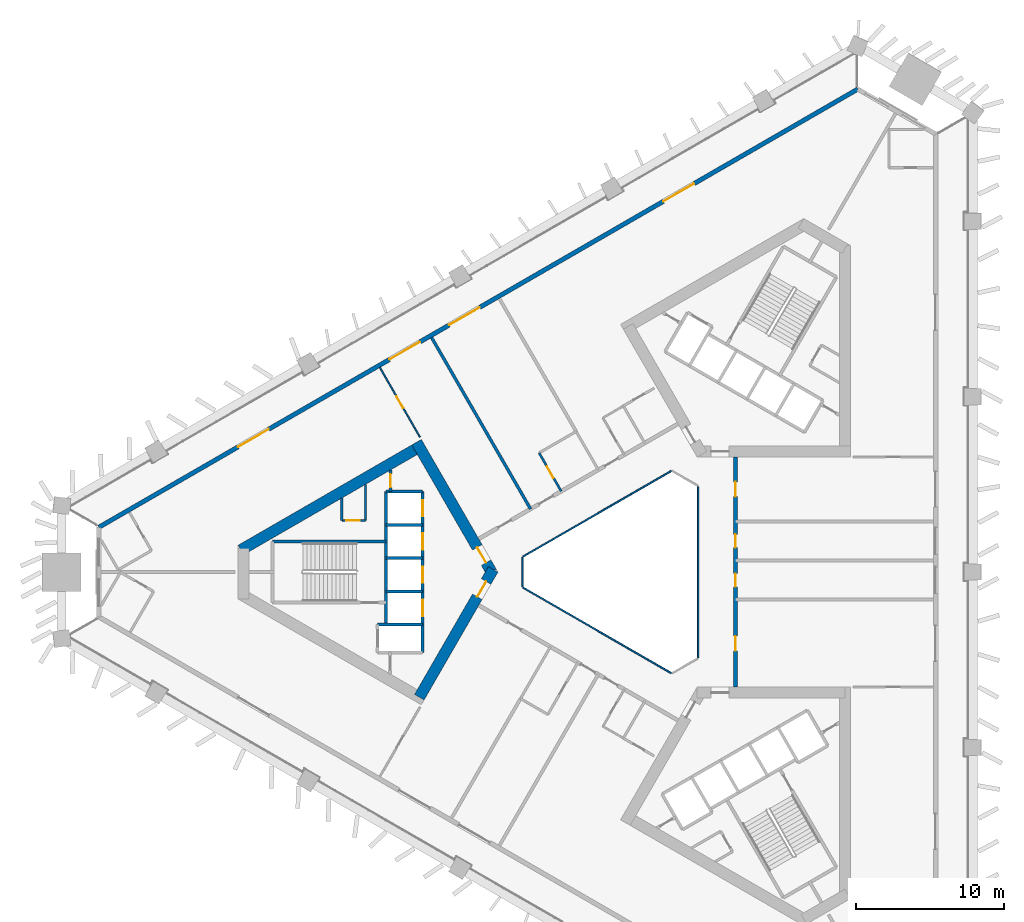
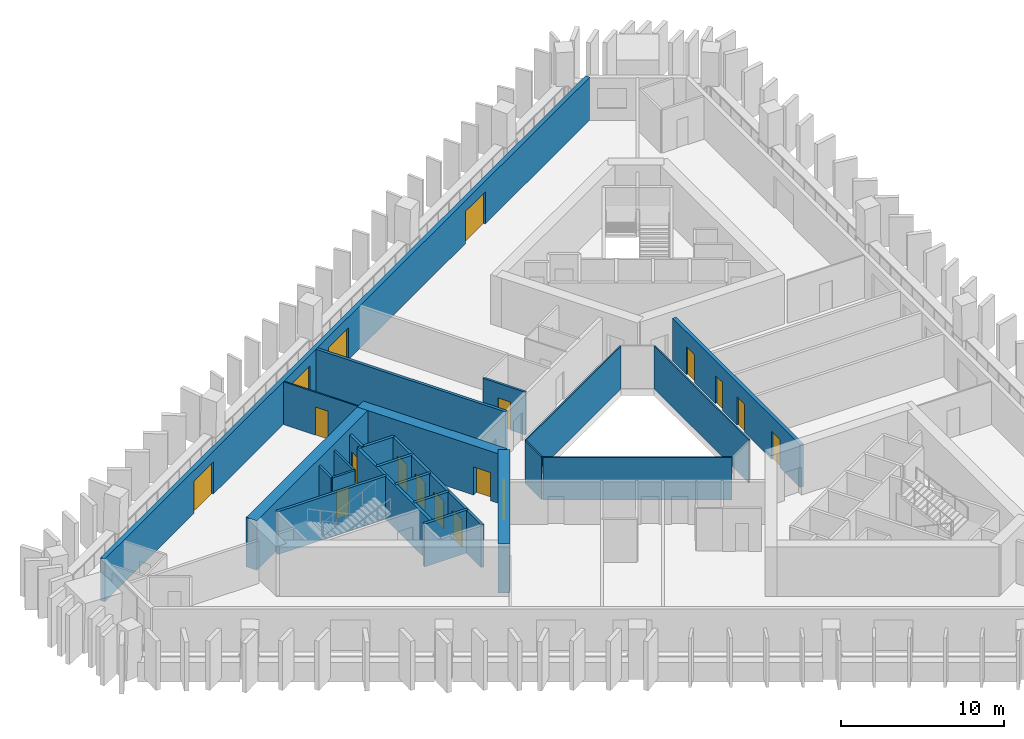
# One storey, part 4 of 10: 24 walls, 18 doors, 18 openings.
"""IFC4 building model written with IfcOpenShell, lengths in metres."""

from ifc_helpers import new_model, si_unit, direction, frame, frame_2d, origin, place, context, subcontext, project, spatial, rectangle, extrude, material, layer, layer_set, type_object, element, fill, save


model = new_model("IFC4")

# Units and contexts
model_context = context("Model", 3, precision=1e-05, world=origin(), true_north=direction((0.0, 1.0)))
body_context = subcontext(model_context, "Body", "Model", "MODEL_VIEW")
ifc_project = project(units=[si_unit("LENGTHUNIT", "METRE"), si_unit("AREAUNIT", "SQUARE_METRE"), si_unit("VOLUMEUNIT", "CUBIC_METRE"), si_unit("PLANEANGLEUNIT", "RADIAN"), si_unit("MASSUNIT", "GRAM", prefix="KILO")], contexts=[model_context])

# Site, building, storey
site_placement = place(None, origin())
site = spatial("IfcSite", under=ifc_project, at=site_placement, CompositionType="ELEMENT")
building_placement = place(site_placement, origin())
building = spatial("IfcBuilding", under=site, at=building_placement, Name="Jabali Bay Hotel Tower and Convention Centre", CompositionType="ELEMENT")
storey_placement = place(building_placement, frame((0.0, 0.0, 72.10009765625)))
storey = spatial("IfcBuildingStorey", under=building, at=storey_placement, Name="L16", CompositionType="ELEMENT", Elevation=72.10009765625)

# Walls
ifc_material_1 = material(Name="Fire-resistant glazing", Category="glass")
ifc_layer_1 = layer(ifc_material_1, 0.10009765625)
ifc_layer_set_1 = layer_set([ifc_layer_1], Name="Fire-resistant glazing")
wall_type_1 = type_object("IfcWallType", Name="Atrium glazed screen 100", PredefinedType="PARTITIONING", material=ifc_layer_set_1)
for number, where, z_axis, x_axis, name in (
    (1, (79.56005859375, 74.205810546875, 0.0), (0.0, 0.0, 1.0), (0.0, 1.0, 0.0), "Atrium screen 1 L16"),
    (2, (77.738037109375, 86.84619140625, 0.0), (0.0, 0.0, 1.0), (-0.866026658274, -0.499997827154, 0.0), "Atrium screen 3 L16"),
):
    element("IfcWall", number, at=place(storey_placement, frame(where, z_axis=z_axis, x_axis=x_axis)), inside=storey, type_object=wall_type_1, Name=name, PredefinedType="PARTITIONING", context=body_context, shape_type="SweptSolid", body=[
        extrude(rectangle(XDim=11.58837890625, YDim=0.10009765625, at=frame_2d((5.794189453125, 0.0))), origin(), (0.0, 0.0, 1.0), 3.199951171875),
    ])
wall_1_placement = place(storey_placement, frame((67.672119140625, 81.0, 0.0), z_axis=(0.0, 0.0, 1.0), x_axis=(0.0, -1.0, 0.0)))
element("IfcWall", 3, at=wall_1_placement, inside=storey, type_object=wall_type_1, Name="Atrium screen 4 L16", PredefinedType="PARTITIONING", context=body_context, shape_type="SweptSolid", body=[
    extrude(rectangle(XDim=2.0, YDim=0.10009765625, at=frame_2d((1.0, 0.0))), origin(), (0.0, 0.0, 1.0), 3.199951171875),
])
wall_2_placement = place(storey_placement, frame((67.7021484375, 78.947998046875, 0.0), z_axis=(0.0, 0.0, 1.0), x_axis=(0.866026658274, -0.499997827154, 0.0)))
element("IfcWall", 4, at=wall_2_placement, inside=storey, type_object=wall_type_1, Name="Atrium screen 5 L16", PredefinedType="PARTITIONING", context=body_context, shape_type="SweptSolid", body=[
    extrude(rectangle(XDim=11.58837890625, YDim=0.10009765625, at=frame_2d((5.794189453125, 0.0))), origin(), (0.0, 0.0, 1.0), 3.199951171875),
])

# Wall, opening, door
ifc_material_2 = material(Name="Concrete C40", Category="concrete")
ifc_layer_2 = layer(ifc_material_2, 0.199951171875)
ifc_layer_set_2 = layer_set([ifc_layer_2], Name="Concrete C40")
wall_type_2 = type_object("IfcWallType", Name="Core partition wall 200", PredefinedType="PARTITIONING", material=ifc_layer_set_2)
wall_3_placement = place(storey_placement, frame((58.719970703125, 86.916748046875, 0.0), z_axis=(0.0, 0.0, 1.0), x_axis=(0.0, -1.0, 0.0)))
wall_3 = element("IfcWall", 5, at=wall_3_placement, inside=storey, type_object=wall_type_2, Name="Core wall 0.11 L16", PredefinedType="PARTITIONING", context=body_context, shape_type="SweptSolid", body=[
    extrude(rectangle(XDim=1.466796875, YDim=0.199951171875, at=frame_2d((0.7333984375, 0.0))), origin(), (0.0, 0.0, 1.0), 3.199951171875),
])
opening_1_placement = place(wall_3_placement, frame((0.283447265625, 0.0, 0.0)))
opening_1 = element("IfcOpeningElement", 6, at=opening_1_placement, cuts=wall_3, Name="Opening D405", PredefinedType="OPENING", context=body_context, shape_type="SweptSolid", body=[
    extrude(rectangle(XDim=0.89990234375, YDim=2.10009765625, at=frame_2d((0.449951171875, 1.050048828125))), frame((0.0, 0.1103515625, 0.0), z_axis=(0.0, -1.0, 0.0), x_axis=(1.0, 0.0, 0.0)), (0.0, 0.0, 1.0), 0.220947265625),
])
ifc_material_3 = material(Name="Fire-rated steel door", Category="steel")
door_type_1 = type_object("IfcDoorType", Name="Vestibule fire door 900 x 2100", OperationType="NOTDEFINED", PredefinedType="NOTDEFINED", material=ifc_material_3)
door_1_placement = place(opening_1_placement, origin())
door_1 = element("IfcDoor", 7, at=door_1_placement, inside=storey, type_object=door_type_1, Name="Vestibule fire door D405", OperationType="SINGLE_SWING_LEFT", OverallHeight=2.10009765625, OverallWidth=0.89990234375, PredefinedType="NOTDEFINED", context=body_context, shape_type="SweptSolid", body=[
    extrude(rectangle(XDim=0.89990234375, YDim=2.10009765625, at=frame_2d((0.449951171875, 1.050048828125))), frame((0.0, 0.02490234375, 0.0), z_axis=(0.0, -1.0, 0.0), x_axis=(1.0, 0.0, 0.0)), (0.0, 0.0, 1.0), 0.050048828125),
])
fill(opening_1, door_1)

ifc_material_4 = material(Name="Fire-rated board partition")
ifc_layer_3 = layer(ifc_material_4, 0.14990234375)
ifc_layer_set_3 = layer_set([ifc_layer_3], Name="Fire-rated board partition")
wall_type_3 = type_object("IfcWallType", Name="Core room partition 150", PredefinedType="PARTITIONING", material=ifc_layer_set_3)
wall_4_placement = place(storey_placement, frame((57.02001953125, 83.5, 0.0), z_axis=(0.0, 0.0, 1.0), x_axis=(-1.0, 0.0, 0.0)))
wall_4 = element("IfcWall", 8, at=wall_4_placement, inside=storey, type_object=wall_type_3, Name="Core wall 0.1 L16", PredefinedType="PARTITIONING", context=body_context, shape_type="SweptSolid", body=[
    extrude(rectangle(XDim=1.60009765625, YDim=0.14990234375, at=frame_2d((0.800048828125, 0.0))), origin(), (0.0, 0.0, 1.0), 3.199951171875),
])
opening_2_placement = place(wall_4_placement, frame((0.387451171875, 0.0, 0.0)))
opening_2 = element("IfcOpeningElement", 9, at=opening_2_placement, cuts=wall_4, Name="Opening D407", PredefinedType="OPENING", context=body_context, shape_type="SweptSolid", body=[
    extrude(rectangle(XDim=0.89990234375, YDim=2.10009765625, at=frame_2d((0.449951171875, 1.050048828125))), frame((0.0, 0.08544921875, 0.0), z_axis=(0.0, -1.0, 0.0), x_axis=(1.0, 0.0, 0.0)), (0.0, 0.0, 1.0), 0.1708984375),
])
door_type_2 = type_object("IfcDoorType", Name="Core room door 900 x 2100", OperationType="NOTDEFINED", PredefinedType="NOTDEFINED", material=ifc_material_3)
door_2_placement = place(opening_2_placement, origin())
door_2 = element("IfcDoor", 10, at=door_2_placement, inside=storey, type_object=door_type_2, Name="Core room door D407", OperationType="SINGLE_SWING_LEFT", OverallHeight=2.10009765625, OverallWidth=0.89990234375, PredefinedType="NOTDEFINED", context=body_context, shape_type="SweptSolid", body=[
    extrude(rectangle(XDim=0.89990234375, YDim=2.10009765625, at=frame_2d((0.449951171875, 1.050048828125))), frame((0.0, 0.02490234375, 0.0), z_axis=(0.0, -1.0, 0.0), x_axis=(1.0, 0.0, 0.0)), (0.0, 0.0, 1.0), 0.050048828125),
])
fill(opening_2, door_2)

# Walls
wall_5_placement = place(storey_placement, frame((57.02001953125, 85.935302734375, 0.0), z_axis=(0.0, 0.0, 1.0), x_axis=(0.0, -1.0, 0.0)))
element("IfcWall", 11, at=wall_5_placement, inside=storey, type_object=wall_type_3, Name="Core wall 0.15 L16", PredefinedType="PARTITIONING", context=body_context, shape_type="SweptSolid", body=[
    extrude(rectangle(XDim=2.435302734375, YDim=0.14990234375, at=frame_2d((1.2177734375, 0.0))), origin(), (0.0, 0.0, 1.0), 3.199951171875),
])
wall_6_placement = place(storey_placement, frame((55.419921875, 85.011474609375, 0.0), z_axis=(0.0, 0.0, 1.0), x_axis=(0.0, -1.0, 0.0)))
element("IfcWall", 12, at=wall_6_placement, inside=storey, type_object=wall_type_3, Name="Core wall 0.16 L16", PredefinedType="PARTITIONING", context=body_context, shape_type="SweptSolid", body=[
    extrude(rectangle(XDim=1.511474609375, YDim=0.14990234375, at=frame_2d((0.755859375, 0.0))), origin(), (0.0, 0.0, 1.0), 3.199951171875),
])
ifc_layer_4 = layer(ifc_material_2, 0.199951171875)
ifc_layer_set_4 = layer_set([ifc_layer_4], Name="Concrete C40")
wall_type_4 = type_object("IfcWallType", Name="Core stair wall 200", PredefinedType="SOLIDWALL", material=ifc_layer_set_4)
for number, where, z_axis, x_axis, name in (
    (13, (60.89990234375, 85.449951171875, 0.0), (0.0, 0.0, 1.0), (-1.0, 0.0, 0.0), "Core wall 0.0 L16"),
    (14, (60.89990234375, 83.199951171875, 0.0), (0.0, 0.0, 1.0), (-1.0, 0.0, 0.0), "Core wall 0.2 L16"),
):
    element("IfcWall", number, at=place(storey_placement, frame(where, z_axis=z_axis, x_axis=x_axis)), inside=storey, type_object=wall_type_4, Name=name, PredefinedType="SOLIDWALL", context=body_context, shape_type="SweptSolid", body=[
        extrude(rectangle(XDim=2.47998046875, YDim=0.199951171875, at=frame_2d((1.239990234375, 0.0))), origin(), (0.0, 0.0, 1.0), 3.199951171875),
    ])
wall_7_placement = place(storey_placement, frame((58.419921875, 82.074951171875, 0.0), z_axis=(0.0, 0.0, 1.0), x_axis=(-1.0, 0.0, 0.0)))
element("IfcWall", 15, at=wall_7_placement, inside=storey, type_object=wall_type_4, Name="Core wall 0.3 L16", PredefinedType="SOLIDWALL", context=body_context, shape_type="SweptSolid", body=[
    extrude(rectangle(XDim=7.699951171875, YDim=0.199951171875, at=frame_2d((3.85009765625, 0.0))), origin(), (0.0, 0.0, 1.0), 3.199951171875),
])
for number, where, z_axis, x_axis, name in (
    (16, (60.89990234375, 80.949951171875, 0.0), (0.0, 0.0, 1.0), (-1.0, 0.0, 0.0), "Core wall 0.4 L16"),
    (17, (60.89990234375, 78.699951171875, 0.0), (0.0, 0.0, 1.0), (-1.0, 0.0, 0.0), "Core wall 0.6 L16"),
):
    element("IfcWall", number, at=place(storey_placement, frame(where, z_axis=z_axis, x_axis=x_axis)), inside=storey, type_object=wall_type_4, Name=name, PredefinedType="SOLIDWALL", context=body_context, shape_type="SweptSolid", body=[
        extrude(rectangle(XDim=2.47998046875, YDim=0.199951171875, at=frame_2d((1.239990234375, 0.0))), origin(), (0.0, 0.0, 1.0), 3.199951171875),
    ])
wall_8_placement = place(storey_placement, frame((60.89990234375, 76.449951171875, 0.0), z_axis=(0.0, 0.0, 1.0), x_axis=(-1.0, 0.0, 0.0)))
element("IfcWall", 18, at=wall_8_placement, inside=storey, type_object=wall_type_4, Name="Core wall 0.8 L16", PredefinedType="SOLIDWALL", context=body_context, shape_type="SweptSolid", body=[
    extrude(rectangle(XDim=3.0498046875, YDim=0.199951171875, at=frame_2d((1.52490234375, 0.0))), origin(), (0.0, 0.0, 1.0), 3.199951171875),
])

# Wall, openings, doors
wall_9_placement = place(storey_placement, frame((60.89990234375, 85.449951171875, 0.0), z_axis=(0.0, 0.0, 1.0), x_axis=(0.0, -1.0, 0.0)))
wall_9 = element("IfcWall", 19, at=wall_9_placement, inside=storey, type_object=wall_type_4, Name="Core wall 0.10 L16", PredefinedType="SOLIDWALL", context=body_context, shape_type="SweptSolid", body=[
    extrude(rectangle(XDim=10.89990234375, YDim=0.199951171875, at=frame_2d((5.449951171875, 0.0))), origin(), (0.0, 0.0, 1.0), 3.199951171875),
])
opening_3_placement = place(wall_9_placement, frame((0.574951171875, 0.0, 0.0)))
opening_3 = element("IfcOpeningElement", 20, at=opening_3_placement, cuts=wall_9, Name="Opening LD1-L16", PredefinedType="OPENING", context=body_context, shape_type="SweptSolid", body=[
    extrude(rectangle(XDim=1.10009765625, YDim=2.10009765625, at=frame_2d((0.550048828125, 1.050048828125))), frame((0.0, 0.1103515625, 0.0), z_axis=(0.0, -1.0, 0.0), x_axis=(1.0, 0.0, 0.0)), (0.0, 0.0, 1.0), 0.220947265625),
])
opening_4_placement = place(wall_9_placement, frame((2.824951171875, 0.0, 0.0)))
opening_4 = element("IfcOpeningElement", 21, at=opening_4_placement, cuts=wall_9, Name="Opening LD2-L16", PredefinedType="OPENING", context=body_context, shape_type="SweptSolid", body=[
    extrude(rectangle(XDim=1.10009765625, YDim=2.10009765625, at=frame_2d((0.550048828125, 1.050048828125))), frame((0.0, 0.1103515625, 0.0), z_axis=(0.0, -1.0, 0.0), x_axis=(1.0, 0.0, 0.0)), (0.0, 0.0, 1.0), 0.220947265625),
])
opening_5_placement = place(wall_9_placement, frame((5.074951171875, 0.0, 0.0)))
opening_5 = element("IfcOpeningElement", 22, at=opening_5_placement, cuts=wall_9, Name="Opening LD3-L16", PredefinedType="OPENING", context=body_context, shape_type="SweptSolid", body=[
    extrude(rectangle(XDim=1.10009765625, YDim=2.10009765625, at=frame_2d((0.550048828125, 1.050048828125))), frame((0.0, 0.1103515625, 0.0), z_axis=(0.0, -1.0, 0.0), x_axis=(1.0, 0.0, 0.0)), (0.0, 0.0, 1.0), 0.220947265625),
])
opening_6_placement = place(wall_9_placement, frame((7.324951171875, 0.0, 0.0)))
opening_6 = element("IfcOpeningElement", 23, at=opening_6_placement, cuts=wall_9, Name="Opening LD4-L16", PredefinedType="OPENING", context=body_context, shape_type="SweptSolid", body=[
    extrude(rectangle(XDim=1.10009765625, YDim=2.10009765625, at=frame_2d((0.550048828125, 1.050048828125))), frame((0.0, 0.1103515625, 0.0), z_axis=(0.0, -1.0, 0.0), x_axis=(1.0, 0.0, 0.0)), (0.0, 0.0, 1.0), 0.220947265625),
])
ifc_material_5 = material(Name="Stainless steel landing door", Category="steel")
door_type_3 = type_object("IfcDoorType", Name="Landing door 1100 x 2100", OperationType="NOTDEFINED", PredefinedType="NOTDEFINED", material=ifc_material_5)
door_3_placement = place(opening_3_placement, origin())
door_3 = element("IfcDoor", 24, at=door_3_placement, inside=storey, type_object=door_type_3, Name="Landing doors LD1-L16", OperationType="SLIDING_TO_RIGHT", OverallHeight=2.10009765625, OverallWidth=1.10009765625, PredefinedType="NOTDEFINED", context=body_context, shape_type="SweptSolid", body=[
    extrude(rectangle(XDim=1.10009765625, YDim=2.10009765625, at=frame_2d((0.550048828125, 1.050048828125))), frame((0.0, 0.02490234375, 0.0), z_axis=(0.0, -1.0, 0.0), x_axis=(1.0, 0.0, 0.0)), (0.0, 0.0, 1.0), 0.050048828125),
])
fill(opening_3, door_3)
door_4_placement = place(opening_4_placement, origin())
door_4 = element("IfcDoor", 25, at=door_4_placement, inside=storey, type_object=door_type_3, Name="Landing doors LD2-L16", OperationType="SLIDING_TO_LEFT", OverallHeight=2.10009765625, OverallWidth=1.10009765625, PredefinedType="NOTDEFINED", context=body_context, shape_type="SweptSolid", body=[
    extrude(rectangle(XDim=1.10009765625, YDim=2.10009765625, at=frame_2d((0.550048828125, 1.050048828125))), frame((0.0, 0.02490234375, 0.0), z_axis=(0.0, -1.0, 0.0), x_axis=(1.0, 0.0, 0.0)), (0.0, 0.0, 1.0), 0.050048828125),
])
fill(opening_4, door_4)
door_5_placement = place(opening_5_placement, origin())
door_5 = element("IfcDoor", 26, at=door_5_placement, inside=storey, type_object=door_type_3, Name="Landing doors LD3-L16", OperationType="SLIDING_TO_RIGHT", OverallHeight=2.10009765625, OverallWidth=1.10009765625, PredefinedType="NOTDEFINED", context=body_context, shape_type="SweptSolid", body=[
    extrude(rectangle(XDim=1.10009765625, YDim=2.10009765625, at=frame_2d((0.550048828125, 1.050048828125))), frame((0.0, 0.02490234375, 0.0), z_axis=(0.0, -1.0, 0.0), x_axis=(1.0, 0.0, 0.0)), (0.0, 0.0, 1.0), 0.050048828125),
])
fill(opening_5, door_5)
door_6_placement = place(opening_6_placement, origin())
door_6 = element("IfcDoor", 27, at=door_6_placement, inside=storey, type_object=door_type_3, Name="Landing doors LD4-L16", OperationType="SLIDING_TO_LEFT", OverallHeight=2.10009765625, OverallWidth=1.10009765625, PredefinedType="NOTDEFINED", context=body_context, shape_type="SweptSolid", body=[
    extrude(rectangle(XDim=1.10009765625, YDim=2.10009765625, at=frame_2d((0.550048828125, 1.050048828125))), frame((0.0, 0.02490234375, 0.0), z_axis=(0.0, -1.0, 0.0), x_axis=(1.0, 0.0, 0.0)), (0.0, 0.0, 1.0), 0.050048828125),
])
fill(opening_6, door_6)

# Wall
wall_10_placement = place(storey_placement, frame((58.419921875, 85.449951171875, 0.0), z_axis=(0.0, 0.0, 1.0), x_axis=(0.0, -1.0, 0.0)))
element("IfcWall", 28, at=wall_10_placement, inside=storey, type_object=wall_type_4, Name="Core wall 0.13 L16", PredefinedType="SOLIDWALL", context=body_context, shape_type="SweptSolid", body=[
    extrude(rectangle(XDim=9.0, YDim=0.199951171875, at=frame_2d((4.5, 0.0))), origin(), (0.0, 0.0, 1.0), 3.199951171875),
])

# Wall, opening, door
ifc_material_6 = material(Name="Concrete C60", Category="concrete")
ifc_layer_5 = layer(ifc_material_6, 0.75)
ifc_layer_set_5 = layer_set([ifc_layer_5], Name="Concrete C60")
wall_type_5 = type_object("IfcWallType", Name="Core wall 750", PredefinedType="SHEAR", material=ifc_layer_set_5)
wall_11_placement = place(storey_placement, frame((65.56689453125, 80.0, 0.0), z_axis=(0.0, 0.0, 1.0), x_axis=(-0.499988615364, 0.866031976607, 0.0)))
wall_11 = element("IfcWall", 29, at=wall_11_placement, inside=storey, type_object=wall_type_5, Name="Core wall 1.1 L16", PredefinedType="SHEAR", context=body_context, shape_type="SweptSolid", body=[
    extrude(rectangle(XDim=10.163330078125, YDim=0.75, at=frame_2d((5.08154296875, 0.0))), origin(), (0.0, 0.0, 1.0), 3.699951171875),
])
opening_7_placement = place(wall_11_placement, frame((0.7333984375, 0.0, 0.0)))
opening_7 = element("IfcOpeningElement", 30, at=opening_7_placement, cuts=wall_11, Name="Opening D402", PredefinedType="OPENING", context=body_context, shape_type="SweptSolid", body=[
    extrude(rectangle(XDim=1.199951171875, YDim=2.10009765625, at=frame_2d((0.60009765625, 1.050048828125))), frame((0.0, 0.385498046875, 0.0), z_axis=(0.0, -1.0, 0.0), x_axis=(1.0, 0.0, 0.0)), (0.0, 0.0, 1.0), 0.77099609375),
])
door_type_4 = type_object("IfcDoorType", Name="Corridor end fire door 1200 x 2100", OperationType="NOTDEFINED", PredefinedType="NOTDEFINED", material=ifc_material_3)
door_7_placement = place(opening_7_placement, origin())
door_7 = element("IfcDoor", 31, at=door_7_placement, inside=storey, type_object=door_type_4, Name="Corridor end fire door D402", OperationType="SINGLE_SWING_RIGHT", OverallHeight=2.10009765625, OverallWidth=1.199951171875, PredefinedType="NOTDEFINED", context=body_context, shape_type="SweptSolid", body=[
    extrude(rectangle(XDim=1.199951171875, YDim=2.10009765625, at=frame_2d((0.60009765625, 1.050048828125))), frame((0.0, 0.02490234375, 0.0), z_axis=(0.0, -1.0, 0.0), x_axis=(1.0, 0.0, 0.0)), (0.0, 0.0, 1.0), 0.050048828125),
])
fill(opening_7, door_7)

# Wall
wall_12_placement = place(storey_placement, frame((60.6728515625, 88.47705078125, 0.0), z_axis=(0.0, 0.0, 1.0), x_axis=(-0.8660248072, -0.500001033313, 0.0)))
element("IfcWall", 32, at=wall_12_placement, inside=storey, type_object=wall_type_5, Name="Core wall 1.2 L16", PredefinedType="SHEAR", context=body_context, shape_type="SweptSolid", body=[
    extrude(rectangle(XDim=13.95849609375, YDim=0.75, at=frame_2d((6.979248046875, 0.0))), origin(), (0.0, 0.0, 1.0), 3.699951171875),
])

# Wall, opening, door
wall_13_placement = place(storey_placement, frame((60.6728515625, 71.52294921875, 0.0), z_axis=(0.0, 0.0, 1.0), x_axis=(0.499997052475, 0.866027105532, 0.0)))
wall_13 = element("IfcWall", 33, at=wall_13_placement, inside=storey, type_object=wall_type_5, Name="Core wall 1.5 L16", PredefinedType="SHEAR", context=body_context, shape_type="SweptSolid", body=[
    extrude(rectangle(XDim=10.0048828125, YDim=0.75, at=frame_2d((5.00244140625, 0.0))), origin(), (0.0, 0.0, 1.0), 3.699951171875),
])
opening_8_placement = place(wall_13_placement, frame((7.85498046875, 0.0, 0.0)))
opening_8 = element("IfcOpeningElement", 34, at=opening_8_placement, cuts=wall_13, Name="Opening D403", PredefinedType="OPENING", context=body_context, shape_type="SweptSolid", body=[
    extrude(rectangle(XDim=1.199951171875, YDim=2.10009765625, at=frame_2d((0.60009765625, 1.050048828125))), frame((0.0, 0.385498046875, 0.0), z_axis=(0.0, -1.0, 0.0), x_axis=(1.0, 0.0, 0.0)), (0.0, 0.0, 1.0), 0.77099609375),
])
door_8_placement = place(opening_8_placement, origin())
door_8 = element("IfcDoor", 35, at=door_8_placement, inside=storey, type_object=door_type_4, Name="Corridor end fire door D403", OperationType="SINGLE_SWING_LEFT", OverallHeight=2.10009765625, OverallWidth=1.199951171875, PredefinedType="NOTDEFINED", context=body_context, shape_type="SweptSolid", body=[
    extrude(rectangle(XDim=1.199951171875, YDim=2.10009765625, at=frame_2d((0.60009765625, 1.050048828125))), frame((0.0, 0.02490234375, 0.0), z_axis=(0.0, -1.0, 0.0), x_axis=(1.0, 0.0, 0.0)), (0.0, 0.0, 1.0), 0.050048828125),
])
fill(opening_8, door_8)

# Wall, openings, doors
ifc_layer_6 = layer(ifc_material_6, 0.25)
ifc_layer_set_6 = layer_set([ifc_layer_6], Name="Concrete C60")
wall_type_6 = type_object("IfcWallType", Name="Corridor wall 250", PredefinedType="SHEAR", material=ifc_layer_set_6)
wall_14_placement = place(storey_placement, frame((82.10009765625, 72.205810546875, 0.0), z_axis=(0.0, 0.0, 1.0), x_axis=(0.0, 1.0, 0.0)))
wall_14 = element("IfcWall", 36, at=wall_14_placement, inside=storey, type_object=wall_type_6, Name="Corridor wall 1 L16", PredefinedType="SHEAR", context=body_context, shape_type="SweptSolid", body=[
    extrude(rectangle(XDim=15.58837890625, YDim=0.25, at=frame_2d((7.794189453125, 0.0))), origin(), (0.0, 0.0, 1.0), 3.199951171875),
])
opening_9_placement = place(wall_14_placement, frame((2.4619140625, 0.0, 0.0)))
opening_9 = element("IfcOpeningElement", 37, at=opening_9_placement, cuts=wall_14, Name="Opening 1601", PredefinedType="OPENING", context=body_context, shape_type="SweptSolid", body=[
    extrude(rectangle(XDim=1.0, YDim=2.10009765625, at=frame_2d((0.5, 1.050048828125))), frame((0.0, 0.135498046875, 0.0), z_axis=(0.0, -1.0, 0.0), x_axis=(1.0, 0.0, 0.0)), (0.0, 0.0, 1.0), 0.27099609375),
])
opening_10_placement = place(wall_14_placement, frame((6.798583984375, 0.0, 0.0)))
opening_10 = element("IfcOpeningElement", 38, at=opening_10_placement, cuts=wall_14, Name="Opening 1604", PredefinedType="OPENING", context=body_context, shape_type="SweptSolid", body=[
    extrude(rectangle(XDim=0.89990234375, YDim=2.10009765625, at=frame_2d((0.449951171875, 1.050048828125))), frame((0.0, 0.135498046875, 0.0), z_axis=(0.0, -1.0, 0.0), x_axis=(1.0, 0.0, 0.0)), (0.0, 0.0, 1.0), 0.27099609375),
])
opening_11_placement = place(wall_14_placement, frame((9.44873046875, 0.0, 0.0)))
opening_11 = element("IfcOpeningElement", 39, at=opening_11_placement, cuts=wall_14, Name="Opening 1605", PredefinedType="OPENING", context=body_context, shape_type="SweptSolid", body=[
    extrude(rectangle(XDim=0.89990234375, YDim=2.10009765625, at=frame_2d((0.449951171875, 1.050048828125))), frame((0.0, 0.135498046875, 0.0), z_axis=(0.0, -1.0, 0.0), x_axis=(1.0, 0.0, 0.0)), (0.0, 0.0, 1.0), 0.27099609375),
])
opening_12_placement = place(wall_14_placement, frame((12.906005859375, 0.0, 0.0)))
opening_12 = element("IfcOpeningElement", 40, at=opening_12_placement, cuts=wall_14, Name="Opening 1606", PredefinedType="OPENING", context=body_context, shape_type="SweptSolid", body=[
    extrude(rectangle(XDim=1.0, YDim=2.10009765625, at=frame_2d((0.5, 1.050048828125))), frame((0.0, 0.135498046875, 0.0), z_axis=(0.0, -1.0, 0.0), x_axis=(1.0, 0.0, 0.0)), (0.0, 0.0, 1.0), 0.27099609375),
])
ifc_material_7 = material(Name="Timber", Category="wood")
door_type_5 = type_object("IfcDoorType", Name="Guest room door 1000 x 2100", OperationType="NOTDEFINED", PredefinedType="NOTDEFINED", material=ifc_material_7)
door_9_placement = place(opening_9_placement, origin())
door_9 = element("IfcDoor", 41, at=door_9_placement, inside=storey, type_object=door_type_5, Name="Door 1601", OperationType="SINGLE_SWING_LEFT", OverallHeight=2.10009765625, OverallWidth=1.0, PredefinedType="NOTDEFINED", context=body_context, shape_type="SweptSolid", body=[
    extrude(rectangle(XDim=1.0, YDim=2.10009765625, at=frame_2d((0.5, 1.050048828125))), frame((0.0, 0.02490234375, 0.0), z_axis=(0.0, -1.0, 0.0), x_axis=(1.0, 0.0, 0.0)), (0.0, 0.0, 1.0), 0.050048828125),
])
fill(opening_9, door_9)
door_10_placement = place(opening_12_placement, origin())
door_10 = element("IfcDoor", 42, at=door_10_placement, inside=storey, type_object=door_type_5, Name="Door 1606", OperationType="SINGLE_SWING_RIGHT", OverallHeight=2.10009765625, OverallWidth=1.0, PredefinedType="NOTDEFINED", context=body_context, shape_type="SweptSolid", body=[
    extrude(rectangle(XDim=1.0, YDim=2.10009765625, at=frame_2d((0.5, 1.050048828125))), frame((0.0, 0.02490234375, 0.0), z_axis=(0.0, -1.0, 0.0), x_axis=(1.0, 0.0, 0.0)), (0.0, 0.0, 1.0), 0.050048828125),
])
fill(opening_12, door_10)
door_type_6 = type_object("IfcDoorType", Name="Internal door 900 x 2100", OperationType="NOTDEFINED", PredefinedType="NOTDEFINED", material=ifc_material_7)
door_11_placement = place(opening_10_placement, origin())
door_11 = element("IfcDoor", 43, at=door_11_placement, inside=storey, type_object=door_type_6, Name="Door 1604", OperationType="SINGLE_SWING_LEFT", OverallHeight=2.10009765625, OverallWidth=0.89990234375, PredefinedType="NOTDEFINED", context=body_context, shape_type="SweptSolid", body=[
    extrude(rectangle(XDim=0.89990234375, YDim=2.10009765625, at=frame_2d((0.449951171875, 1.050048828125))), frame((0.0, 0.02490234375, 0.0), z_axis=(0.0, -1.0, 0.0), x_axis=(1.0, 0.0, 0.0)), (0.0, 0.0, 1.0), 0.050048828125),
])
fill(opening_10, door_11)
door_12_placement = place(opening_11_placement, origin())
door_12 = element("IfcDoor", 44, at=door_12_placement, inside=storey, type_object=door_type_6, Name="Door 1605", OperationType="SINGLE_SWING_RIGHT", OverallHeight=2.10009765625, OverallWidth=0.89990234375, PredefinedType="NOTDEFINED", context=body_context, shape_type="SweptSolid", body=[
    extrude(rectangle(XDim=0.89990234375, YDim=2.10009765625, at=frame_2d((0.449951171875, 1.050048828125))), frame((0.0, 0.02490234375, 0.0), z_axis=(0.0, -1.0, 0.0), x_axis=(1.0, 0.0, 0.0)), (0.0, 0.0, 1.0), 0.050048828125),
])
fill(opening_11, door_12)

ifc_layer_7 = layer(ifc_material_2, 0.300048828125)
ifc_layer_set_7 = layer_set([ifc_layer_7], Name="Concrete C40")
wall_type_7 = type_object("IfcWallType", Name="External wall 300", PredefinedType="SOLIDWALL", material=ifc_layer_set_7)
wall_15_placement = place(storey_placement, frame((38.962158203125, 83.0380859375, 0.0), z_axis=(0.0, 0.0, 1.0), x_axis=(0.866024483997, 0.500001593116, 0.0)))
wall_15 = element("IfcWall", 45, at=wall_15_placement, inside=storey, type_object=wall_type_7, Name="External wall north-west face L16", PredefinedType="SOLIDWALL", context=body_context, shape_type="SweptSolid", body=[
    extrude(rectangle(XDim=59.381103515625, YDim=0.300048828125, at=frame_2d((29.6904296875, 0.0))), origin(), (0.0, 0.0, 1.0), 3.199951171875),
])
opening_13_placement = place(wall_15_placement, frame((27.3994140625, 0.0, 0.0)))
opening_13 = element("IfcOpeningElement", 46, at=opening_13_placement, cuts=wall_15, Name="Opening SD1", PredefinedType="OPENING", context=body_context, shape_type="SweptSolid", body=[
    extrude(rectangle(XDim=2.39990234375, YDim=2.39990234375, at=frame_2d((1.199951171875, 1.199951171875))), frame((0.0, 0.16064453125, 0.0), z_axis=(0.0, -1.0, 0.0), x_axis=(1.0, 0.0, 0.0)), (0.0, 0.0, 1.0), 0.321044921875),
])
opening_14_placement = place(wall_15_placement, frame((22.722900390625, 0.0, 0.0)))
opening_14 = element("IfcOpeningElement", 47, at=opening_14_placement, cuts=wall_15, Name="Opening SD1", PredefinedType="OPENING", context=body_context, shape_type="SweptSolid", body=[
    extrude(rectangle(XDim=2.39990234375, YDim=2.39990234375, at=frame_2d((1.199951171875, 1.199951171875))), frame((0.0, 0.16064453125, 0.0), z_axis=(0.0, -1.0, 0.0), x_axis=(1.0, 0.0, 0.0)), (0.0, 0.0, 1.0), 0.321044921875),
])
opening_15_placement = place(wall_15_placement, frame((10.88720703125, 0.0, 0.0)))
opening_15 = element("IfcOpeningElement", 48, at=opening_15_placement, cuts=wall_15, Name="Opening SD1", PredefinedType="OPENING", context=body_context, shape_type="SweptSolid", body=[
    extrude(rectangle(XDim=2.39990234375, YDim=2.39990234375, at=frame_2d((1.199951171875, 1.199951171875))), frame((0.0, 0.16064453125, 0.0), z_axis=(0.0, -1.0, 0.0), x_axis=(1.0, 0.0, 0.0)), (0.0, 0.0, 1.0), 0.321044921875),
])
opening_16_placement = place(wall_15_placement, frame((44.158447265625, 0.0, 0.0)))
opening_16 = element("IfcOpeningElement", 49, at=opening_16_placement, cuts=wall_15, Name="Opening SD1", PredefinedType="OPENING", context=body_context, shape_type="SweptSolid", body=[
    extrude(rectangle(XDim=2.39990234375, YDim=2.39990234375, at=frame_2d((1.199951171875, 1.199951171875))), frame((0.0, 0.16064453125, 0.0), z_axis=(0.0, -1.0, 0.0), x_axis=(1.0, 0.0, 0.0)), (0.0, 0.0, 1.0), 0.321044921875),
])
ifc_material_8 = material(Name="Glass", Category="glass")
door_type_7 = type_object("IfcDoorType", Name="Loggia sliding door 2400 x 2400", OperationType="NOTDEFINED", PredefinedType="NOTDEFINED", material=ifc_material_8)
door_13_placement = place(opening_13_placement, origin())
door_13 = element("IfcDoor", 50, at=door_13_placement, inside=storey, type_object=door_type_7, Name="Loggia sliding door 1606", OperationType="SLIDING_TO_LEFT", OverallHeight=2.39990234375, OverallWidth=2.39990234375, PredefinedType="NOTDEFINED", context=body_context, shape_type="SweptSolid", body=[
    extrude(rectangle(XDim=2.39990234375, YDim=2.39990234375, at=frame_2d((1.199951171875, 1.199951171875))), frame((0.0, 0.02490234375, 0.0), z_axis=(0.0, -1.0, 0.0), x_axis=(1.0, 0.0, 0.0)), (0.0, 0.0, 1.0), 0.050048828125),
])
fill(opening_13, door_13)
door_14_placement = place(opening_14_placement, origin())
door_14 = element("IfcDoor", 51, at=door_14_placement, inside=storey, type_object=door_type_7, Name="Loggia sliding door 1607", OperationType="SLIDING_TO_RIGHT", OverallHeight=2.39990234375, OverallWidth=2.39990234375, PredefinedType="NOTDEFINED", context=body_context, shape_type="SweptSolid", body=[
    extrude(rectangle(XDim=2.39990234375, YDim=2.39990234375, at=frame_2d((1.199951171875, 1.199951171875))), frame((0.0, 0.02490234375, 0.0), z_axis=(0.0, -1.0, 0.0), x_axis=(1.0, 0.0, 0.0)), (0.0, 0.0, 1.0), 0.050048828125),
])
fill(opening_14, door_14)
door_15_placement = place(opening_15_placement, origin())
door_15 = element("IfcDoor", 52, at=door_15_placement, inside=storey, type_object=door_type_7, Name="Loggia sliding door 1607", OperationType="SLIDING_TO_LEFT", OverallHeight=2.39990234375, OverallWidth=2.39990234375, PredefinedType="NOTDEFINED", context=body_context, shape_type="SweptSolid", body=[
    extrude(rectangle(XDim=2.39990234375, YDim=2.39990234375, at=frame_2d((1.199951171875, 1.199951171875))), frame((0.0, 0.02490234375, 0.0), z_axis=(0.0, -1.0, 0.0), x_axis=(1.0, 0.0, 0.0)), (0.0, 0.0, 1.0), 0.050048828125),
])
fill(opening_15, door_15)
door_16_placement = place(opening_16_placement, origin())
door_16 = element("IfcDoor", 53, at=door_16_placement, inside=storey, type_object=door_type_7, Name="Loggia sliding door 1605", OperationType="SLIDING_TO_RIGHT", OverallHeight=2.39990234375, OverallWidth=2.39990234375, PredefinedType="NOTDEFINED", context=body_context, shape_type="SweptSolid", body=[
    extrude(rectangle(XDim=2.39990234375, YDim=2.39990234375, at=frame_2d((1.199951171875, 1.199951171875))), frame((0.0, 0.02490234375, 0.0), z_axis=(0.0, -1.0, 0.0), x_axis=(1.0, 0.0, 0.0)), (0.0, 0.0, 1.0), 0.050048828125),
])
fill(opening_16, door_16)

# Wall, opening, door
ifc_material_9 = material(Name="Plasterboard on steel stud", Category="steel")
ifc_layer_8 = layer(ifc_material_9, 0.10009765625)
ifc_layer_set_8 = layer_set([ifc_layer_8], Name="Plasterboard on steel stud")
wall_type_8 = type_object("IfcWallType", Name="Partition 100 unit", PredefinedType="PARTITIONING", material=ifc_layer_set_8)
wall_16_placement = place(storey_placement, frame((57.99951171875, 93.857421875, 0.0), z_axis=(0.0, 0.0, 1.0), x_axis=(0.499974500895, -0.866040125199, 0.0)))
wall_16 = element("IfcWall", 54, at=wall_16_placement, inside=storey, type_object=wall_type_8, Name="Partition P02 L16 023", PredefinedType="PARTITIONING", context=body_context, shape_type="SweptSolid", body=[
    extrude(rectangle(XDim=5.422119140625, YDim=0.10009765625, at=frame_2d((2.7109375, 0.0))), origin(), (0.0, 0.0, 1.0), 3.199951171875),
])
opening_17_placement = place(wall_16_placement, frame((2.260986328125, 0.0, 0.0)))
opening_17 = element("IfcOpeningElement", 55, at=opening_17_placement, cuts=wall_16, Name="Opening 1615", PredefinedType="OPENING", context=body_context, shape_type="SweptSolid", body=[
    extrude(rectangle(XDim=0.89990234375, YDim=2.10009765625, at=frame_2d((0.449951171875, 1.050048828125))), frame((0.0, 0.060546875, 0.0), z_axis=(0.0, -1.0, 0.0), x_axis=(1.0, 0.0, 0.0)), (0.0, 0.0, 1.0), 0.12109375),
])
door_17_placement = place(opening_17_placement, origin())
door_17 = element("IfcDoor", 56, at=door_17_placement, inside=storey, type_object=door_type_6, Name="Door 1615", OperationType="SINGLE_SWING_LEFT", OverallHeight=2.10009765625, OverallWidth=0.89990234375, PredefinedType="NOTDEFINED", context=body_context, shape_type="SweptSolid", body=[
    extrude(rectangle(XDim=0.89990234375, YDim=2.10009765625, at=frame_2d((0.449951171875, 1.050048828125))), frame((0.0, 0.02490234375, 0.0), z_axis=(0.0, -1.0, 0.0), x_axis=(1.0, 0.0, 0.0)), (0.0, 0.0, 1.0), 0.050048828125),
])
fill(opening_17, door_17)

ifc_layer_9 = layer(ifc_material_9, 0.14990234375)
ifc_layer_set_9 = layer_set([ifc_layer_9], Name="Plasterboard on steel stud")
wall_type_9 = type_object("IfcWallType", Name="Partition 150 wet", PredefinedType="PARTITIONING", material=ifc_layer_set_9)
wall_17_placement = place(storey_placement, frame((70.28857421875, 85.478271484375, 0.0), z_axis=(0.0, 0.0, 1.0), x_axis=(-0.50002537861, 0.866010750942, 0.0)))
wall_17 = element("IfcWall", 57, at=wall_17_placement, inside=storey, type_object=wall_type_9, Name="Partition P03 L16 020", PredefinedType="PARTITIONING", context=body_context, shape_type="SweptSolid", body=[
    extrude(rectangle(XDim=2.999755859375, YDim=0.14990234375, at=frame_2d((1.5, 0.0))), origin(), (0.0, 0.0, 1.0), 3.199951171875),
])
opening_18_placement = place(wall_17_placement, frame((1.050048828125, 0.0, 0.0)))
opening_18 = element("IfcOpeningElement", 58, at=opening_18_placement, cuts=wall_17, Name="Opening 1612", PredefinedType="OPENING", context=body_context, shape_type="SweptSolid", body=[
    extrude(rectangle(XDim=0.89990234375, YDim=2.10009765625, at=frame_2d((0.449951171875, 1.050048828125))), frame((0.0, 0.08544921875, 0.0), z_axis=(0.0, -1.0, 0.0), x_axis=(1.0, 0.0, 0.0)), (0.0, 0.0, 1.0), 0.1708984375),
])
door_type_8 = type_object("IfcDoorType", Name="Accessible en-suite door 900 x 2100", OperationType="NOTDEFINED", PredefinedType="NOTDEFINED", material=ifc_material_7)
door_18_placement = place(opening_18_placement, origin())
door_18 = element("IfcDoor", 59, at=door_18_placement, inside=storey, type_object=door_type_8, Name="Door 1612", OperationType="SINGLE_SWING_RIGHT", OverallHeight=2.10009765625, OverallWidth=0.89990234375, PredefinedType="NOTDEFINED", context=body_context, shape_type="SweptSolid", body=[
    extrude(rectangle(XDim=0.89990234375, YDim=2.10009765625, at=frame_2d((0.449951171875, 1.050048828125))), frame((0.0, 0.02490234375, 0.0), z_axis=(0.0, -1.0, 0.0), x_axis=(1.0, 0.0, 0.0)), (0.0, 0.0, 1.0), 0.050048828125),
])
fill(opening_18, door_18)

# Wall
ifc_layer_10 = layer(ifc_material_9, 0.199951171875)
ifc_layer_set_10 = layer_set([ifc_layer_10], Name="Plasterboard on steel stud")
wall_type_10 = type_object("IfcWallType", Name="Partition 200 party", PredefinedType="PARTITIONING", material=ifc_layer_set_10)
wall_18_placement = place(storey_placement, frame((61.509521484375, 95.8837890625, 0.0), z_axis=(0.0, 0.0, 1.0), x_axis=(0.499993171696, -0.866029346071, 0.0)))
element("IfcWall", 60, at=wall_18_placement, inside=storey, type_object=wall_type_10, Name="Partition P01 L16 022", PredefinedType="PARTITIONING", context=body_context, shape_type="SweptSolid", body=[
    extrude(rectangle(XDim=13.401123046875, YDim=0.199951171875, at=frame_2d((6.70068359375, 0.0))), origin(), (0.0, 0.0, 1.0), 3.199951171875),
])

save(model, "model.ifc")
